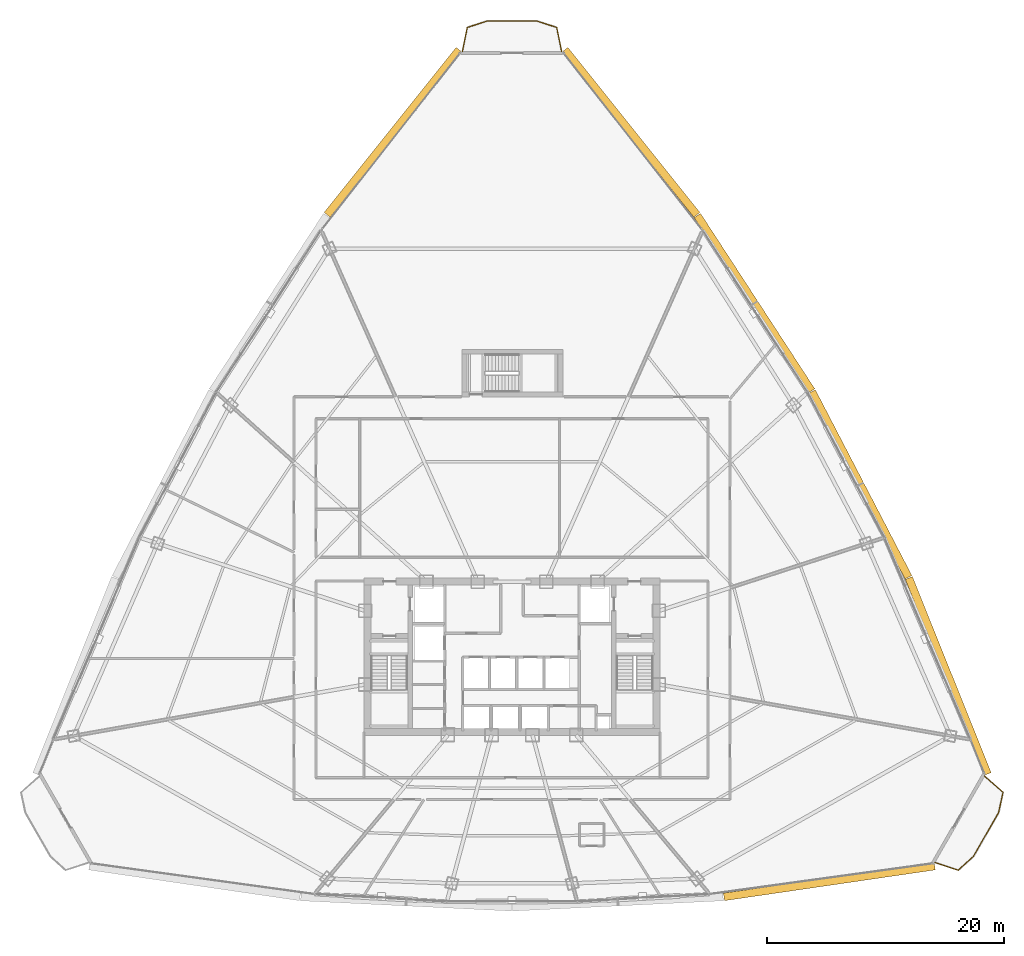
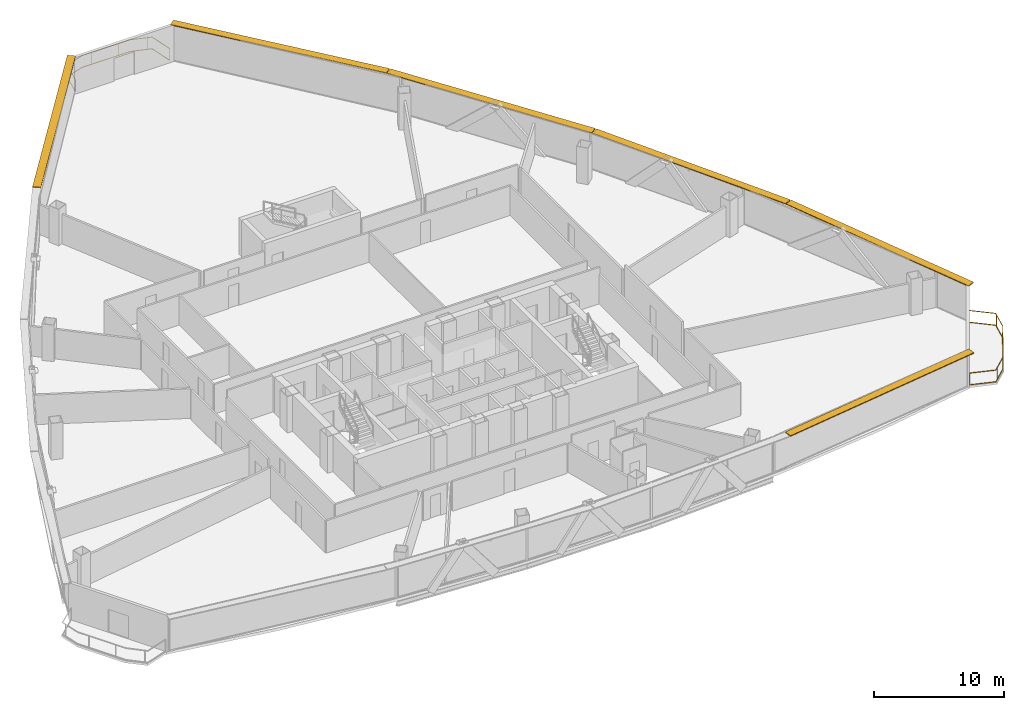
# One storey, part 39 of 39: 6 shading devices, 2 railings.
"""IFC4 building model written with IfcOpenShell, lengths in metres."""

import ifcopenshell
import ifcopenshell.guid

model = None  # the IFC model being written
_history = None  # IfcOwnerHistory: only IFC2X3 demands one
_inside = {}  # id of a spatial element -> (the spatial element, [elements in it])
_under = {}  # id of a project, library or spatial element -> (it, [spatial elements below it])
_declared = {}  # id of a project -> (the project, [libraries it declares])
_typed = {}  # id of a type object -> (the type object, [elements of that type])
_made_of = {}  # id of a material, layer set ... -> (it, [elements and type objects made of it])


def new_model(schema):
    """Start an empty IFC model of exactly this schema.

    Asked for "IFC4X3", IfcOpenShell would pick the latest addendum, in which some entities
    have other attributes; the version numbers below select the first issue.
    IFC2X3 requires an IfcOwnerHistory on every rooted entity: one is made here for all.
    """
    global model, _history
    if schema == "IFC4X3":
        model = ifcopenshell.file(schema_version=(4, 3, 0, 0))
    else:
        model = ifcopenshell.file(schema=schema)
    _inside.clear()
    _under.clear()
    _declared.clear()
    _typed.clear()
    _made_of.clear()
    _history = None
    if model.schema == "IFC2X3":
        org = make("IfcOrganization", Name="unknown")
        user = make(
            "IfcPersonAndOrganization",
            ThePerson=make("IfcPerson", FamilyName="unknown"),
            TheOrganization=org,
        )
        app = make(
            "IfcApplication",
            ApplicationDeveloper=org,
            Version="unknown",
            ApplicationFullName="unknown",
            ApplicationIdentifier="unknown",
        )
        _history = make(
            "IfcOwnerHistory",
            OwningUser=user,
            OwningApplication=app,
            ChangeAction="ADDED",
            CreationDate=0,
        )
    return model


def make(cls, **values):
    """One entity of the class cls with the attributes given. An attribute that is None is left unset."""
    return model.create_entity(
        cls, **{name: value for name, value in values.items() if value is not None}
    )


def rooted(cls, **values):
    """An entity with a GlobalId (a new one), such as an element, a storey or a relation."""
    return make(cls, GlobalId=ifcopenshell.guid.new(), OwnerHistory=_history, **values)


def si_unit(unit_type, name, prefix=None):
    """IfcSIUnit, for example si_unit("LENGTHUNIT", "METRE", prefix="MILLI")."""
    return make("IfcSIUnit", UnitType=unit_type, Prefix=prefix, Name=name)


def assignment(units):
    """IfcUnitAssignment: the units of a project."""
    return None if units is None else make("IfcUnitAssignment", Units=units)


def point(xyz):
    """IfcCartesianPoint."""
    return None if xyz is None else make("IfcCartesianPoint", Coordinates=xyz)


def direction(xyz):
    """IfcDirection."""
    return None if xyz is None else make("IfcDirection", DirectionRatios=xyz)


def frame(location, z_axis=None, x_axis=None):
    """IfcAxis2Placement3D, a coordinate frame: its origin and axes. An axis left out is left unset."""
    return make(
        "IfcAxis2Placement3D",
        Location=point(location),
        Axis=direction(z_axis),
        RefDirection=direction(x_axis),
    )


def frame_2d(location, x_axis=None):
    """IfcAxis2Placement2D, a coordinate frame in the plane: its origin and x axis."""
    return make(
        "IfcAxis2Placement2D", Location=point(location), RefDirection=direction(x_axis)
    )


def origin():
    """The frame at (0, 0, 0) with its axes left unset."""
    return frame((0.0, 0.0, 0.0))


def origin_2d():
    """The frame at (0, 0) in the plane with its x axis left unset."""
    return frame_2d((0.0, 0.0))


def place(relative_to, where):
    """IfcLocalPlacement: puts the frame where relative to a parent placement (None: the world)."""
    return make(
        "IfcLocalPlacement", PlacementRelTo=relative_to, RelativePlacement=where
    )


def context(
    kind, dimensions, precision=None, world=None, true_north=None, identifier=None
):
    """IfcGeometricRepresentationContext, for example the 3D "Model" context."""
    return make(
        "IfcGeometricRepresentationContext",
        ContextIdentifier=identifier,
        ContextType=kind,
        CoordinateSpaceDimension=dimensions,
        Precision=precision,
        WorldCoordinateSystem=world,
        TrueNorth=true_north,
    )


def subcontext(parent, identifier, kind, view, scale=None):
    """IfcGeometricRepresentationSubContext, for example "Body" below "Model"."""
    return make(
        "IfcGeometricRepresentationSubContext",
        ContextIdentifier=identifier,
        ContextType=kind,
        ParentContext=parent,
        TargetScale=scale,
        TargetView=view,
    )


def project(units=None, contexts=None):
    """IfcProject with its units and contexts."""
    return rooted(
        "IfcProject",
        Name="project",
        RepresentationContexts=contexts,
        UnitsInContext=assignment(units),
    )


def spatial(cls, under=None, at=None, **own):
    """A site, building, storey or space (cls), placed at a placement, below another one or the project."""
    s = rooted(cls, ObjectPlacement=at, **own)
    if under is not None:
        _under.setdefault(under.id(), (under, []))[1].append(s)
    return s


def profile(cls, at=None, kind="AREA", **sizes):
    """A parametric profile (cls). Its sizes go by their IFC names, for example OverallWidth=200.0."""
    return make(cls, ProfileType=kind, Position=at, **sizes)


def rectangle(**sizes):
    """IfcRectangleProfileDef."""
    return profile("IfcRectangleProfileDef", **sizes)


def extrude(swept, where, along, depth):
    """IfcExtrudedAreaSolid: the profile swept, set in the frame where, extruded along a direction by depth."""
    return make(
        "IfcExtrudedAreaSolid",
        SweptArea=swept,
        Position=where,
        ExtrudedDirection=direction(along),
        Depth=depth,
    )


def shape(context_of_items, identifier, shape_type, items):
    """IfcShapeRepresentation: the items that make up one representation, for example the "Body"."""
    return make(
        "IfcShapeRepresentation",
        ContextOfItems=context_of_items,
        RepresentationIdentifier=identifier,
        RepresentationType=shape_type,
        Items=items,
    )


def source(mapping_origin, context_of_items, identifier, shape_type, items):
    """IfcRepresentationMap: a shape defined once, which mapped items show again and again."""
    return make(
        "IfcRepresentationMap",
        MappingOrigin=mapping_origin,
        MappedRepresentation=shape(context_of_items, identifier, shape_type, items),
    )


def transform(
    local_origin,
    x_axis=None,
    y_axis=None,
    z_axis=None,
    scale=None,
    scale2=None,
    scale3=None,
    uniform=True,
):
    """IfcCartesianTransformationOperator3D, or its non-uniform kind. x_axis, y_axis, z_axis: its Axis1, 2, 3."""
    if uniform:
        return make(
            "IfcCartesianTransformationOperator3D",
            Axis1=direction(x_axis),
            Axis2=direction(y_axis),
            LocalOrigin=point(local_origin),
            Scale=scale,
            Axis3=direction(z_axis),
        )
    return make(
        "IfcCartesianTransformationOperator3DnonUniform",
        Axis1=direction(x_axis),
        Axis2=direction(y_axis),
        LocalOrigin=point(local_origin),
        Scale=scale,
        Axis3=direction(z_axis),
        Scale2=scale2,
        Scale3=scale3,
    )


def mapped(mapping_source, mapping_target):
    """IfcMappedItem: shows the shape of a source again, moved by a transform."""
    return make(
        "IfcMappedItem", MappingSource=mapping_source, MappingTarget=mapping_target
    )


def material(Name=None, Category=None):
    """IfcMaterial."""
    return make("IfcMaterial", Name=Name, Category=Category)


def layer(
    of_material, thickness, ventilated=None, Name=None, Category=None, Priority=None
):
    """IfcMaterialLayer: one layer of a wall or slab, of a material (None: an air gap)."""
    return make(
        "IfcMaterialLayer",
        Material=of_material,
        LayerThickness=thickness,
        IsVentilated=ventilated,
        Name=Name,
        Category=Category,
        Priority=Priority,
    )


def layer_set(layers, Name=None):
    """IfcMaterialLayerSet."""
    return make("IfcMaterialLayerSet", MaterialLayers=layers, LayerSetName=Name)


def made_of(thing, what):
    """Note that an element or type object is made of a material, layer set ...; save() writes the relation."""
    if what is not None:
        _made_of.setdefault(what.id(), (what, []))[1].append(thing)
    return thing


def type_object(cls, material=None, **own):
    """A type object (cls), such as IfcWallType, which elements share."""
    return made_of(rooted(cls, **own), material)


def element(
    cls,
    number,
    at=None,
    inside=None,
    cuts=None,
    type_object=None,
    material=None,
    context=None,
    identifier="Body",
    shape_type=None,
    held_by="IfcProductDefinitionShape",
    body=None,
    shapes=None,
    **own,
):
    """One element of the class cls, such as IfcWall. Its Tag is "e" and its number.

    at: its placement. inside: the storey or other place that contains it. cuts: it is an
    opening in that element (IfcRelVoidsElement). A single representation is given by context,
    identifier, shape_type and body (its items); several are given by shapes. held_by: the class
    of the entity that holds the representations. save() writes the other relations.
    """
    e = rooted(cls, Tag="e%d" % number, ObjectPlacement=at, **own)
    if body is not None:
        shapes = [shape(context, identifier, shape_type, body)]
    if shapes is not None:
        e.Representation = make(held_by, Representations=shapes)
    if inside is not None:
        _inside.setdefault(inside.id(), (inside, []))[1].append(e)
    if cuts is not None:
        rooted(
            "IfcRelVoidsElement", RelatingBuildingElement=cuts, RelatedOpeningElement=e
        )
    if type_object is not None:
        _typed.setdefault(type_object.id(), (type_object, []))[1].append(e)
    return made_of(e, material)


def aggregate(whole, parts):
    """IfcRelAggregates: a whole, such as a stair, and the parts it consists of."""
    return rooted("IfcRelAggregates", RelatingObject=whole, RelatedObjects=parts)


def save(model, path):
    """Write the relations noted so far, then the file.

    IfcRelAggregates (storeys below a building ...), IfcRelContainedInSpatialStructure (elements
    in a storey), IfcRelDefinesByType, IfcRelAssociatesMaterial and IfcRelDeclares: one each for
    every whole, place, type object, material and project.
    """
    for whole, parts in _under.values():
        aggregate(whole, parts)
    for where, things in _inside.values():
        rooted(
            "IfcRelContainedInSpatialStructure",
            RelatedElements=things,
            RelatingStructure=where,
        )
    for kind, things in _typed.values():
        rooted("IfcRelDefinesByType", RelatedObjects=things, RelatingType=kind)
    for what, things in _made_of.values():
        rooted("IfcRelAssociatesMaterial", RelatedObjects=things, RelatingMaterial=what)
    for by, libraries in _declared.values():
        rooted("IfcRelDeclares", RelatingContext=by, RelatedDefinitions=libraries)
    model.write(path)


model = new_model("IFC4")

# Units and contexts
model_context = context("Model", 3, precision=1e-05, world=origin(), true_north=direction((0.0, 1.0)))
body_context = subcontext(model_context, "Body", "Model", "MODEL_VIEW")
ifc_project = project(units=[si_unit("LENGTHUNIT", "METRE"), si_unit("AREAUNIT", "SQUARE_METRE"), si_unit("VOLUMEUNIT", "CUBIC_METRE"), si_unit("PLANEANGLEUNIT", "RADIAN"), si_unit("MASSUNIT", "GRAM", prefix="KILO"), si_unit("THERMODYNAMICTEMPERATUREUNIT", "KELVIN"), si_unit("POWERUNIT", "WATT")], contexts=[model_context])

# Site, building, storey
site_placement = place(None, origin())
site = spatial("IfcSite", under=ifc_project, at=site_placement, CompositionType="ELEMENT")
building_placement = place(site_placement, origin())
building = spatial("IfcBuilding", under=site, at=building_placement, Name="Yunzhuo Pagoda Commons", CompositionType="ELEMENT")
storey_placement = place(building_placement, frame((0.0, 0.0, 148.22998046875)))
storey = spatial("IfcBuildingStorey", under=building, at=storey_placement, Name="L37", CompositionType="ELEMENT", Elevation=148.22998046875)

# Railings
ifc_material = material(Name="Anodized aluminium 6063-T6", Category="aluminium")
railing_type = type_object("IfcRailingType", Name="RL-BAL1 Exterior Terrace & Balcony Balustrade 1150", PredefinedType="BALUSTRADE", material=ifc_material)
railing_1_placement = place(storey_placement, frame((83.715087890625, 16.4912109375, 0.0)))
element("IfcRailing", 1, at=railing_1_placement, inside=storey, type_object=railing_type, Name="L37 corner balcony balustrade V2", PredefinedType="BALUSTRADE", context=body_context, shape_type="SweptSolid", body=[
    extrude(rectangle(XDim=0.048095703125, YDim=0.048095703125, at=origin_2d()), frame((0.0, 0.0, 1.1259765625), z_axis=(0.947419062147, -0.319995501031, 0.0), x_axis=(0.319995501031, 0.947419062147, 0.0)), (0.0, 0.0, 1.0), 2.05908203125),
    extrude(rectangle(XDim=0.048095703125, YDim=0.048095703125, at=origin_2d()), frame((0.0, 0.0, 0.02392578125), z_axis=(0.947419062147, -0.319995501031, 0.0), x_axis=(0.319995501031, 0.947419062147, 0.0)), (0.0, 0.0, 1.0), 2.05908203125),
    extrude(rectangle(XDim=0.048095703125, YDim=0.048095703125, at=origin_2d()), frame((1.950927734375, -0.658935546875, 1.1259765625), z_axis=(0.738206272815, 0.674575050514, 0.0), x_axis=(-0.674575050514, 0.738206272815, 0.0)), (0.0, 0.0, 1.0), 1.741943359375),
    extrude(rectangle(XDim=0.048095703125, YDim=0.048095703125, at=origin_2d()), frame((1.950927734375, -0.658935546875, 0.02392578125), z_axis=(0.738206272815, 0.674575050514, 0.0), x_axis=(-0.674575050514, 0.738206272815, 0.0)), (0.0, 0.0, 1.0), 1.741943359375),
    extrude(rectangle(XDim=0.048095703125, YDim=0.048095703125, at=origin_2d()), frame((3.23681640625, 0.51611328125, 1.1259765625), z_axis=(0.497938246053, 0.867212490176, 0.0), x_axis=(-0.867212490176, 0.497938246053, 0.0)), (0.0, 0.0, 1.0), 4.27880859375),
    extrude(rectangle(XDim=0.048095703125, YDim=0.048095703125, at=origin_2d()), frame((3.23681640625, 0.51611328125, 0.02392578125), z_axis=(0.497938246053, 0.867212490176, 0.0), x_axis=(-0.867212490176, 0.497938246053, 0.0)), (0.0, 0.0, 1.0), 4.27880859375),
    extrude(rectangle(XDim=0.048095703125, YDim=0.048095703125, at=origin_2d()), frame((5.367431640625, 4.226806640625, 1.1259765625), z_axis=(0.210380911568, 0.977619492465, 0.0), x_axis=(-0.977619492465, 0.210380911568, 0.0)), (0.0, 0.0, 1.0), 1.741943359375),
    extrude(rectangle(XDim=0.048095703125, YDim=0.048095703125, at=origin_2d()), frame((5.367431640625, 4.226806640625, 0.02392578125), z_axis=(0.210380911568, 0.977619492465, 0.0), x_axis=(-0.977619492465, 0.210380911568, 0.0)), (0.0, 0.0, 1.0), 1.741943359375),
    extrude(rectangle(XDim=0.048095703125, YDim=0.048095703125, at=origin_2d()), frame((5.73388671875, 5.9296875, 1.1259765625), z_axis=(-0.753933830692, 0.656950362614, 0.0), x_axis=(-0.656950362614, -0.753933830692, 0.0)), (0.0, 0.0, 1.0), 2.05908203125),
    extrude(rectangle(XDim=0.048095703125, YDim=0.048095703125, at=origin_2d()), frame((5.73388671875, 5.9296875, 0.02392578125), z_axis=(-0.753933830692, 0.656950362614, 0.0), x_axis=(-0.656950362614, -0.753933830692, 0.0)), (0.0, 0.0, 1.0), 2.05908203125),
    extrude(rectangle(XDim=0.0419921875, YDim=0.0419921875, at=origin_2d()), origin(), (0.0, 0.0, 1.0), 1.101806640625),
    extrude(rectangle(XDim=0.0419921875, YDim=0.0419921875, at=origin_2d()), frame((2.202392578125, -0.428955078125, 0.0)), (0.0, 0.0, 1.0), 1.101806640625),
    extrude(rectangle(XDim=0.0419921875, YDim=0.0419921875, at=origin_2d()), frame((3.734130859375, 1.38232421875, 0.0)), (0.0, 0.0, 1.0), 1.101806640625),
    extrude(rectangle(XDim=0.0419921875, YDim=0.0419921875, at=origin_2d()), frame((4.92919921875, 3.463623046875, 0.0)), (0.0, 0.0, 1.0), 1.101806640625),
    extrude(rectangle(XDim=0.0419921875, YDim=0.0419921875, at=origin_2d()), frame((5.687255859375, 5.712890625, 0.0)), (0.0, 0.0, 1.0), 1.101806640625),
    extrude(rectangle(XDim=0.0419921875, YDim=0.0419921875, at=origin_2d()), frame((4.181396484375, 7.282470703125, 0.0)), (0.0, 0.0, 1.0), 1.101806640625),
])
railing_2_placement = place(storey_placement, frame((52.18115234375, 84.958251953125, 0.0)))
element("IfcRailing", 2, at=railing_2_placement, inside=storey, type_object=railing_type, Name="L37 corner balcony balustrade V3", PredefinedType="BALUSTRADE", context=body_context, shape_type="SweptSolid", body=[
    extrude(rectangle(XDim=0.048095703125, YDim=0.048095703125, at=origin_2d()), frame((0.0, 0.0, 1.1259765625), z_axis=(-0.194314652384, 0.980939251875, 0.0), x_axis=(-0.980939251875, -0.194314652384, 0.0)), (0.0, 0.0, 1.0), 2.059326171875),
    extrude(rectangle(XDim=0.048095703125, YDim=0.048095703125, at=origin_2d()), frame((0.0, 0.0, 0.02392578125), z_axis=(-0.194314652384, 0.980939251875, 0.0), x_axis=(-0.980939251875, -0.194314652384, 0.0)), (0.0, 0.0, 1.0), 2.059326171875),
    extrude(rectangle(XDim=0.048095703125, YDim=0.048095703125, at=origin_2d()), frame((-0.400146484375, 2.02001953125, 1.1259765625), z_axis=(-0.952104734014, 0.30577209727, 0.0), x_axis=(-0.30577209727, -0.952104734014, 0.0)), (0.0, 0.0, 1.0), 1.7333984375),
    extrude(rectangle(XDim=0.048095703125, YDim=0.048095703125, at=origin_2d()), frame((-0.400146484375, 2.02001953125, 0.02392578125), z_axis=(-0.952104734014, 0.30577209727, 0.0), x_axis=(-0.30577209727, -0.952104734014, 0.0)), (0.0, 0.0, 1.0), 1.7333984375),
    extrude(rectangle(XDim=0.048095703125, YDim=0.048095703125, at=origin_2d()), frame((-2.050537109375, 2.550048828125, 1.1259765625), z_axis=(-1.0, 0.0, 0.0), x_axis=(0.0, -1.0, 0.0)), (0.0, 0.0, 1.0), 4.26123046875),
    extrude(rectangle(XDim=0.048095703125, YDim=0.048095703125, at=origin_2d()), frame((-2.050537109375, 2.550048828125, 0.02392578125), z_axis=(-1.0, 0.0, 0.0), x_axis=(0.0, -1.0, 0.0)), (0.0, 0.0, 1.0), 4.26123046875),
    extrude(rectangle(XDim=0.048095703125, YDim=0.048095703125, at=origin_2d()), frame((-6.311767578125, 2.550048828125, 1.1259765625), z_axis=(-0.952104734014, -0.30577209727, 0.0), x_axis=(0.30577209727, -0.952104734014, 0.0)), (0.0, 0.0, 1.0), 1.7333984375),
    extrude(rectangle(XDim=0.048095703125, YDim=0.048095703125, at=origin_2d()), frame((-6.311767578125, 2.550048828125, 0.02392578125), z_axis=(-0.952104734014, -0.30577209727, 0.0), x_axis=(0.30577209727, -0.952104734014, 0.0)), (0.0, 0.0, 1.0), 1.7333984375),
    extrude(rectangle(XDim=0.048095703125, YDim=0.048095703125, at=origin_2d()), frame((-7.962158203125, 2.02001953125, 1.1259765625), z_axis=(-0.194314652384, -0.980939251875, 0.0), x_axis=(0.980939251875, -0.194314652384, 0.0)), (0.0, 0.0, 1.0), 2.059326171875),
    extrude(rectangle(XDim=0.048095703125, YDim=0.048095703125, at=origin_2d()), frame((-7.962158203125, 2.02001953125, 0.02392578125), z_axis=(-0.194314652384, -0.980939251875, 0.0), x_axis=(0.980939251875, -0.194314652384, 0.0)), (0.0, 0.0, 1.0), 2.059326171875),
    extrude(rectangle(XDim=0.0419921875, YDim=0.0419921875, at=origin_2d()), origin(), (0.0, 0.0, 1.0), 1.101806640625),
    extrude(rectangle(XDim=0.0419921875, YDim=0.0419921875, at=origin_2d()), frame((-0.724609375, 2.124267578125, 0.0)), (0.0, 0.0, 1.0), 1.101806640625),
    extrude(rectangle(XDim=0.0419921875, YDim=0.0419921875, at=origin_2d()), frame((-3.057861328125, 2.550048828125, 0.0)), (0.0, 0.0, 1.0), 1.101806640625),
    extrude(rectangle(XDim=0.0419921875, YDim=0.0419921875, at=origin_2d()), frame((-5.457763671875, 2.550048828125, 0.0)), (0.0, 0.0, 1.0), 1.101806640625),
    extrude(rectangle(XDim=0.0419921875, YDim=0.0419921875, at=origin_2d()), frame((-7.78369140625, 2.077392578125, 0.0)), (0.0, 0.0, 1.0), 1.101806640625),
    extrude(rectangle(XDim=0.0419921875, YDim=0.0419921875, at=origin_2d()), frame((-8.3623046875, 0.0, 0.0)), (0.0, 0.0, 1.0), 1.101806640625),
])

# Shading devices
ifc_layer = layer(ifc_material, 0.080078125)
ifc_layer_set = layer_set([ifc_layer], Name="Anodized aluminium 6063-T6")
shading_device_type = type_object("IfcShadingDeviceType", Name="SH-SUN1 Pagoda Horizontal Sunshade Eave 650", PredefinedType="USERDEFINED", material=ifc_layer_set)
shared_shape_1 = source(origin(), body_context, "Body", "SweptSolid", [
    extrude(rectangle(XDim=17.98681640625, YDim=0.64990234375, at=origin_2d()), origin(), (0.0, 0.0, 1.0), 0.080078125),
])
shading_device_placement = place(storey_placement, frame((74.791015625, 14.882080078125, 3.340087890625), z_axis=(0.0, 0.0, 1.0), x_axis=(0.989510666697, 0.144459823108, 0.0)))
element("IfcShadingDevice", 3, at=shading_device_placement, inside=storey, type_object=shading_device_type, Name="L37 horizontal pagoda sunshade eave F1.4", ObjectType="SUNSHADE", PredefinedType="USERDEFINED", context=body_context, shape_type="MappedRepresentation", body=[
    mapped(shared_shape_1, transform((0.0, 0.0, 0.0), scale=1.0)),
])
shared_shape_2 = source(origin(), body_context, "Body", "SweptSolid", [
    extrude(rectangle(XDim=17.842041015625, YDim=0.64990234375, at=origin_2d()), origin(), (0.0, 0.0, 1.0), 0.080078125),
])
for number, where, z_axis, x_axis, name in (
    (4, (84.823974609375, 32.228271484375, 3.340087890625), (0.0, 0.0, 1.0), (-0.372987782576, 0.927836253899, 0.0), "L37 horizontal pagoda sunshade eave F2.1"),
    (5, (58.032470703125, 78.125, 3.340087890625), (0.0, 0.0, 1.0), (-0.624520471688, 0.781008438138, 0.0), "L37 horizontal pagoda sunshade eave F2.4"),
    (6, (37.967529296875, 78.125, 3.340087890625), (0.0, 0.0, 1.0), (-0.624520471688, -0.781008438138, 0.0), "L37 horizontal pagoda sunshade eave F3.1"),
):
    element("IfcShadingDevice", number, at=place(storey_placement, frame(where, z_axis=z_axis, x_axis=x_axis)), inside=storey, type_object=shading_device_type, Name=name, ObjectType="SUNSHADE", PredefinedType="USERDEFINED", context=body_context, shape_type="MappedRepresentation", body=[
        mapped(shared_shape_2, transform((0.0, 0.0, 0.0), scale=1.0)),
    ])
shared_shape_3 = source(origin(), body_context, "Body", "SweptSolid", [
    extrude(rectangle(XDim=17.672607421875, YDim=0.64990234375, at=origin_2d()), origin(), (0.0, 0.0, 1.0), 0.080078125),
])
for number, where, z_axis, x_axis, name in (
    (7, (77.394775390625, 48.403564453125, 3.340087890625), (0.0, 0.0, 1.0), (-0.461206683033, 0.88729273384, 0.0), "L37 horizontal pagoda sunshade eave F2.2"),
    (8, (68.464111328125, 63.70263671875, 3.340087890625), (0.0, 0.0, 1.0), (-0.545853380833, 0.837880711458, 0.0), "L37 horizontal pagoda sunshade eave F2.3"),
):
    element("IfcShadingDevice", number, at=place(storey_placement, frame(where, z_axis=z_axis, x_axis=x_axis)), inside=storey, type_object=shading_device_type, Name=name, ObjectType="SUNSHADE", PredefinedType="USERDEFINED", context=body_context, shape_type="MappedRepresentation", body=[
        mapped(shared_shape_3, transform((0.0, 0.0, 0.0), scale=1.0)),
    ])

save(model, "model.ifc")
